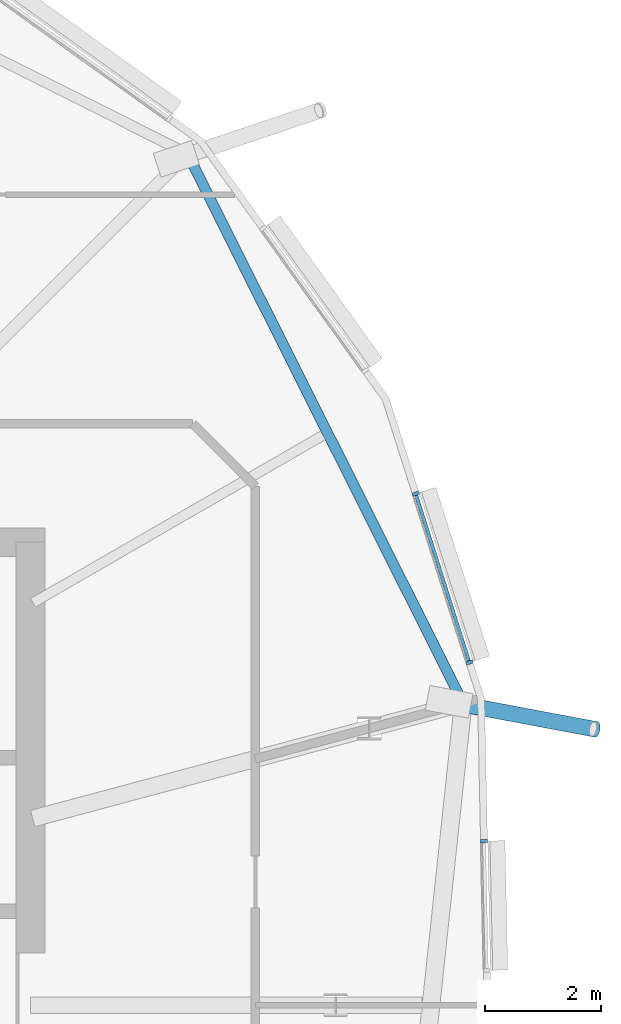
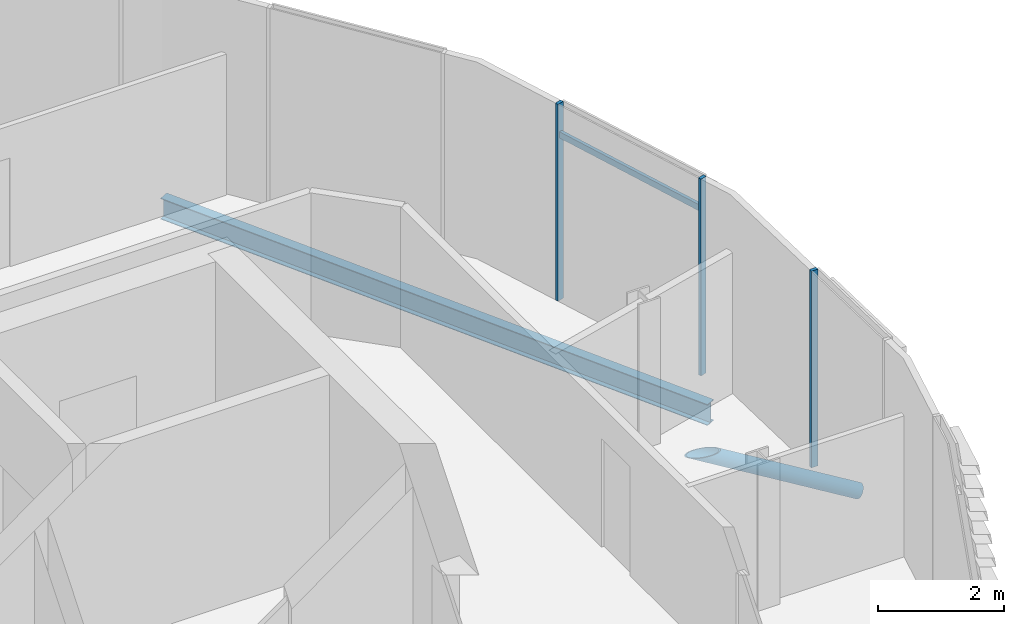
# One storey, part 13 of 41: 5 members, 1 beam, 1 element without a shape of its own.
"""IFC4 building model written with IfcOpenShell, lengths in metres."""

from ifc_helpers import new_model, si_unit, direction, frame, origin, origin_2d, place, context, subcontext, project, spatial, rectangle, hollow_circle, i_section, extrude, clip, halfspace, material, material_profile, profile_set, type_object, element, aggregate, save


model = new_model("IFC4")

# Units and contexts
model_context = context("Model", 3, precision=1e-05, world=origin(), true_north=direction((0.0, 1.0)))
body_context = subcontext(model_context, "Body", "Model", "MODEL_VIEW")
ifc_project = project(units=[si_unit("LENGTHUNIT", "METRE"), si_unit("AREAUNIT", "SQUARE_METRE"), si_unit("VOLUMEUNIT", "CUBIC_METRE"), si_unit("PLANEANGLEUNIT", "RADIAN"), si_unit("MASSUNIT", "GRAM", prefix="KILO")], contexts=[model_context])

# Site, building, storey
site_placement = place(None, origin())
site = spatial("IfcSite", under=ifc_project, at=site_placement, CompositionType="ELEMENT")
building_placement = place(site_placement, origin())
building = spatial("IfcBuilding", under=site, at=building_placement, Name="Rimbun Link Towers", CompositionType="ELEMENT")
storey_placement = place(building_placement, frame((0.0, 0.0, 210.5)))
storey = spatial("IfcBuildingStorey", under=building, at=storey_placement, Name="L51", CompositionType="ELEMENT", Elevation=210.5)

# Curtain wall, members
ifc_material_1 = material(Name="Aluminium 6063-T6 and low-iron glass", Category="aluminium")
curtain_wall_type = type_object("IfcCurtainWallType", Name="CW1-Z4 unitised vision wall (zone 4)", PredefinedType="NOTDEFINED", material=ifc_material_1)
curtain_wall_placement = place(storey_placement, origin())
curtain_wall = element("IfcCurtainWall", 1, at=curtain_wall_placement, inside=storey, type_object=curtain_wall_type, Name="CW1 L51 T2", PredefinedType="NOTDEFINED")
ifc_material_2 = material(Name="Aluminium 6063-T6", Category="aluminium")
ifc_material_profile_1 = material_profile(ifc_material_2, rectangle(XDim=0.1201171875, YDim=0.06005859375, at=origin_2d()), Name="MULLION 60X120")
ifc_profile_set_1 = profile_set([ifc_material_profile_1], Name="Aluminium 6063-T6")
member_type_1 = type_object("IfcMemberType", Name="CW1 mullion 60X120", PredefinedType="MULLION", material=ifc_profile_set_1)
member_1_placement = place(storey_placement, frame((51.586669921875, 2.837158203125, 0.0), z_axis=(0.0, 0.0, 1.0), x_axis=(0.999778345459, 0.021053739591, 0.0)))
member_1 = element("IfcMember", 2, at=member_1_placement, type_object=member_type_1, Name="CW1 mullion", PredefinedType="MULLION", context=body_context, shape_type="SweptSolid", body=[
    extrude(rectangle(XDim=0.1201171875, YDim=0.06005859375, at=origin_2d()), origin(), (0.0, 0.0, 1.0), 3.800048828125),
])
member_2_placement = place(storey_placement, frame((50.40771484375, 8.839599609375, 0.0), z_axis=(0.0, 0.0, 1.0), x_axis=(0.952968975919, 0.30306786523, 0.0)))
member_2 = element("IfcMember", 3, at=member_2_placement, type_object=member_type_1, Name="CW1 mullion", PredefinedType="MULLION", context=body_context, shape_type="SweptSolid", body=[
    extrude(rectangle(XDim=0.1201171875, YDim=0.06005859375, at=origin_2d()), origin(), (0.0, 0.0, 1.0), 3.800048828125),
])
member_3_placement = place(storey_placement, frame((51.335205078125, 5.9228515625, 0.0), z_axis=(0.0, 0.0, 1.0), x_axis=(0.952968975919, 0.30306786523, 0.0)))
member_3 = element("IfcMember", 4, at=member_3_placement, type_object=member_type_1, Name="CW1 mullion", PredefinedType="MULLION", context=body_context, shape_type="SweptSolid", body=[
    extrude(rectangle(XDim=0.1201171875, YDim=0.06005859375, at=origin_2d()), origin(), (0.0, 0.0, 1.0), 3.800048828125),
])
ifc_material_3 = material(Name="Aluminium 6063-T6", Category="aluminium")
ifc_material_profile_2 = material_profile(ifc_material_3, rectangle(XDim=0.06005859375, YDim=0.1201171875, at=origin_2d()), Name="TRANSOM 60X120")
ifc_profile_set_2 = profile_set([ifc_material_profile_2], Name="Aluminium 6063-T6")
member_type_2 = type_object("IfcMemberType", Name="CW1 transom 60X120", PredefinedType="USERDEFINED", material=ifc_profile_set_2)
member_4_placement = place(storey_placement, frame((50.414794921875, 8.810546875, 3.199951171875), z_axis=(0.303065967973, -0.952969579292, 0.0), x_axis=(0.952969579292, 0.303065967973, 0.0)))
member_4 = element("IfcMember", 5, at=member_4_placement, type_object=member_type_2, Name="CW1 transom", ObjectType="TRANSOM", PredefinedType="USERDEFINED", context=body_context, shape_type="SweptSolid", body=[
    extrude(rectangle(XDim=0.06005859375, YDim=0.1201171875, at=origin_2d()), origin(), (0.0, 0.0, 1.0), 3.000732421875),
])
aggregate(curtain_wall, [member_1, member_2, member_3, member_4])

# Member
ifc_material_4 = material(Name="Steel S355J2H", Category="steel")
ifc_material_profile_3 = material_profile(ifc_material_4, hollow_circle(Radius=0.136474609375, WallThickness=0.012451171875, at=origin_2d()), Name="CHS 273x12.5")
ifc_profile_set_3 = profile_set([ifc_material_profile_3], Name="Steel S355J2H")
member_type_3 = type_object("IfcMemberType", Name="Floor edge link CHS 273x12.5", PredefinedType="BRACE", material=ifc_profile_set_3)
member_5_placement = place(storey_placement, frame((51.177978515625, 5.205810546875, -1.101806640625), z_axis=(0.874690656634, -0.164277384139, -0.455992539695), x_axis=(0.184584732357, 0.982816603737, 0.0)))
element("IfcMember", 6, at=member_5_placement, inside=storey, type_object=member_type_3, Name="Floor edge link T2 L51 22", PredefinedType="BRACE", context=body_context, shape_type="Clipping", body=[
    clip(extrude(hollow_circle(Radius=0.136474609375, WallThickness=0.012451171875, at=origin_2d()), frame((0.0, 0.0, -0.5546875)), (0.0, 0.0, 1.0), 3.23876953125), halfspace(frame((0.0, 0.0, -0.26123046875), z_axis=(0.0, 0.889983597457, -0.455992539695)), False)),
])

# Beam
ifc_material_5 = material(Name="Steel S355J2", Category="steel")
ifc_material_profile_4 = material_profile(ifc_material_5, i_section(OverallWidth=0.177978515625, OverallDepth=0.406494140625, WebThickness=0.0078125, FlangeThickness=0.0126953125, at=origin_2d()), Name="UB 406x178x60")
ifc_profile_set_4 = profile_set([ifc_material_profile_4], Name="Steel S355J2")
beam_type = type_object("IfcBeamType", Name="UB 406x178x60", PredefinedType="BEAM", material=ifc_profile_set_4)
beam_placement = place(storey_placement, frame((51.158935546875, 5.35302734375, -0.34326171875), z_axis=(-0.448476197321, 0.893794775346, 0.0), x_axis=(-0.893794775346, -0.448476197321, 0.0)))
element("IfcBeam", 7, at=beam_placement, inside=storey, type_object=beam_type, Name="Edge beam T2 L51 22-00", PredefinedType="BEAM", context=body_context, shape_type="SweptSolid", body=[
    extrude(i_section(OverallWidth=0.177978515625, OverallDepth=0.406494140625, WebThickness=0.0078125, FlangeThickness=0.0126953125, at=origin_2d()), origin(), (0.0, 0.0, 1.0), 10.360595703125),
])

save(model, "model.ifc")
